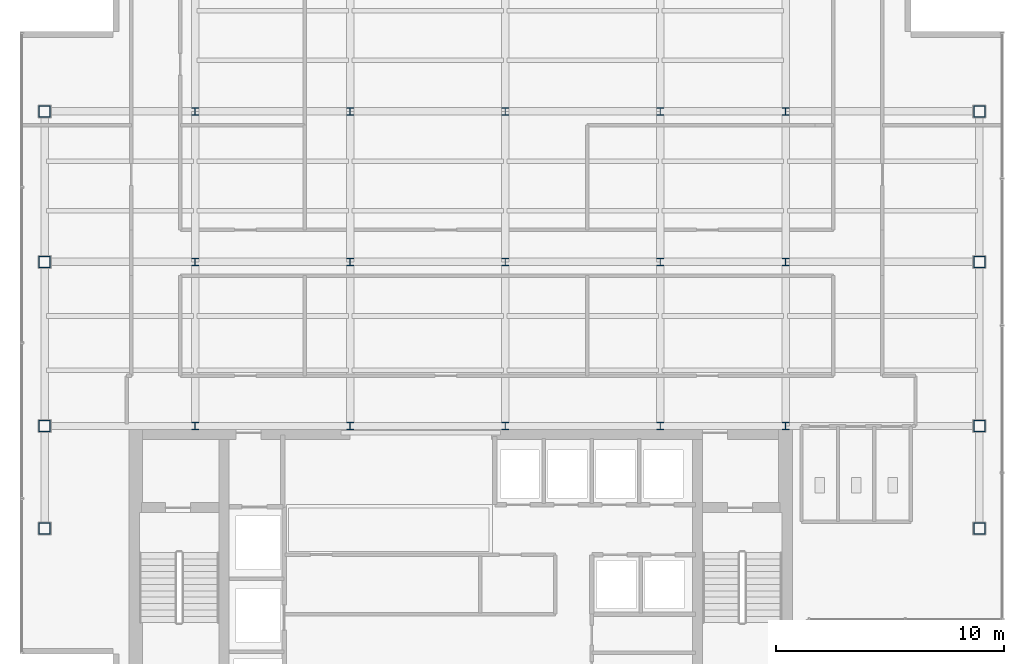
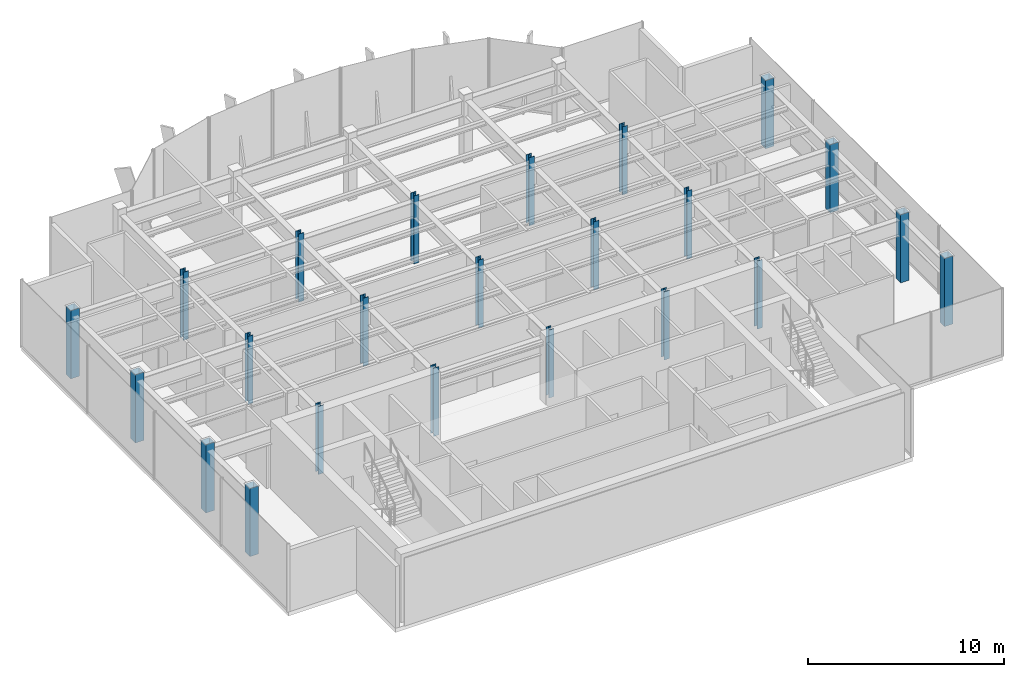
# One storey, part 1 of 24: 23 columns.
"""IFC4 building model written with IfcOpenShell, lengths in metres."""

from ifc_helpers import new_model, si_unit, derived_unit, direction, frame, origin, origin_2d, place, context, subcontext, project, spatial, hollow_rectangle, i_section, extrude, source, transform, mapped, material, material_profile, profile_set, type_object, element, save


model = new_model("IFC4")

# Units and contexts
model_context = context("Model", 3, precision=1e-05, world=origin(), true_north=direction((0.0, 1.0)))
body_context = subcontext(model_context, "Body", "Model", "MODEL_VIEW")
ifc_project = project(units=[si_unit("LENGTHUNIT", "METRE"), si_unit("AREAUNIT", "SQUARE_METRE"), si_unit("VOLUMEUNIT", "CUBIC_METRE"), si_unit("PLANEANGLEUNIT", "RADIAN"), si_unit("MASSUNIT", "GRAM", prefix="KILO"), derived_unit("THERMALTRANSMITTANCEUNIT", [(si_unit("POWERUNIT", "WATT"), 1), (si_unit("LENGTHUNIT", "METRE"), -2), (si_unit("THERMODYNAMICTEMPERATUREUNIT", "KELVIN"), -1)])], contexts=[model_context])

# Site, building, storey
site_placement = place(None, origin())
site = spatial("IfcSite", under=ifc_project, at=site_placement, CompositionType="ELEMENT")
building_placement = place(site_placement, origin())
building = spatial("IfcBuilding", under=site, at=building_placement, Name="Skarnbrae Concourse Arena and Tower", CompositionType="ELEMENT")
storey_placement = place(building_placement, frame((0.0, 0.0, 288.0)))
storey = spatial("IfcBuildingStorey", under=building, at=storey_placement, Name="L75", CompositionType="ELEMENT", Elevation=288.0)

# Columns
ifc_material = material(Name="Steel CSA G40.21 350W", Category="steel")
ifc_material_profile_1 = material_profile(ifc_material, hollow_rectangle(XDim=0.5, YDim=0.5, WallThickness=0.02197265625, at=origin_2d()), Name="HSS500X500X22.0")
ifc_profile_set_1 = profile_set([ifc_material_profile_1], Name="Steel CSA G40.21 350W")
column_type_1 = type_object("IfcColumnType", Name="COL-TUBE-HSS500", PredefinedType="COLUMN", material=ifc_profile_set_1)
shared_shape_1 = source(origin(), body_context, "Body", "SweptSolid", [
    extrude(hollow_rectangle(XDim=0.5, YDim=0.5, WallThickness=0.02197265625, at=origin_2d()), origin(), (0.0, 0.0, 1.0), 4.25),
])
for number, where, z_axis, x_axis, name in (
    (1, (1.0, 9.5, 0.0), (0.0, 0.0, 1.0), (1.0, 0.0, 0.0), "L75 Tower column PC_01_01"),
    (2, (1.0, 14.0, 0.0), (0.0, 0.0, 1.0), (1.0, 0.0, 0.0), "L75 Tower column PC_01_02"),
    (3, (1.0, 21.199951171875, 0.0), (0.0, 0.0, 1.0), (1.0, 0.0, 0.0), "L75 Tower column PC_01_03"),
    (4, (1.0, 27.800048828125, 0.0), (0.0, 0.0, 1.0), (1.0, 0.0, 0.0), "L75 Tower column PC_01_04"),
    (5, (42.0, 9.5, 0.0), (0.0, 0.0, 1.0), (1.0, 0.0, 0.0), "L75 Tower column PC_07_01"),
    (6, (42.0, 14.0, 0.0), (0.0, 0.0, 1.0), (1.0, 0.0, 0.0), "L75 Tower column PC_07_02"),
    (7, (42.0, 21.199951171875, 0.0), (0.0, 0.0, 1.0), (1.0, 0.0, 0.0), "L75 Tower column PC_07_03"),
    (8, (42.0, 27.800048828125, 0.0), (0.0, 0.0, 1.0), (1.0, 0.0, 0.0), "L75 Tower column PC_07_04"),
):
    element("IfcColumn", number, at=place(storey_placement, frame(where, z_axis=z_axis, x_axis=x_axis)), inside=storey, type_object=column_type_1, Name=name, PredefinedType="COLUMN", context=body_context, shape_type="MappedRepresentation", body=[
        mapped(shared_shape_1, transform((0.0, 0.0, 0.0))),
    ])
ifc_material_profile_2 = material_profile(ifc_material, i_section(OverallWidth=0.30908203125, OverallDepth=0.322998046875, WebThickness=0.013916015625, FlangeThickness=0.02294921875, at=origin_2d()), Name="W310X143")
ifc_profile_set_2 = profile_set([ifc_material_profile_2], Name="Steel CSA G40.21 350W")
column_type_2 = type_object("IfcColumnType", Name="COL-INT-W310X143", PredefinedType="COLUMN", material=ifc_profile_set_2)
shared_shape_2 = source(origin(), body_context, "Body", "SweptSolid", [
    extrude(i_section(OverallWidth=0.30908203125, OverallDepth=0.322998046875, WebThickness=0.013916015625, FlangeThickness=0.02294921875, at=origin_2d()), origin(), (0.0, 0.0, 1.0), 4.25),
])
for number, where, z_axis, x_axis, name in (
    (9, (7.60009765625, 14.0, 0.0), (0.0, 0.0, 1.0), (1.0, 0.0, 0.0), "L75 Tower column IC_02_02"),
    (10, (7.60009765625, 21.199951171875, 0.0), (0.0, 0.0, 1.0), (1.0, 0.0, 0.0), "L75 Tower column IC_02_03"),
    (11, (7.60009765625, 27.800048828125, 0.0), (0.0, 0.0, 1.0), (1.0, 0.0, 0.0), "L75 Tower column IC_02_04"),
    (12, (14.39990234375, 14.0, 0.0), (0.0, 0.0, 1.0), (1.0, 0.0, 0.0), "L75 Tower column IC_03_02"),
    (13, (14.39990234375, 21.199951171875, 0.0), (0.0, 0.0, 1.0), (1.0, 0.0, 0.0), "L75 Tower column IC_03_03"),
    (14, (14.39990234375, 27.800048828125, 0.0), (0.0, 0.0, 1.0), (1.0, 0.0, 0.0), "L75 Tower column IC_03_04"),
    (15, (21.199951171875, 14.0, 0.0), (0.0, 0.0, 1.0), (1.0, 0.0, 0.0), "L75 Tower column IC_04_02"),
    (16, (21.199951171875, 21.199951171875, 0.0), (0.0, 0.0, 1.0), (1.0, 0.0, 0.0), "L75 Tower column IC_04_03"),
    (17, (21.199951171875, 27.800048828125, 0.0), (0.0, 0.0, 1.0), (1.0, 0.0, 0.0), "L75 Tower column IC_04_04"),
    (18, (28.0, 14.0, 0.0), (0.0, 0.0, 1.0), (1.0, 0.0, 0.0), "L75 Tower column IC_05_02"),
    (19, (28.0, 21.199951171875, 0.0), (0.0, 0.0, 1.0), (1.0, 0.0, 0.0), "L75 Tower column IC_05_03"),
    (20, (28.0, 27.800048828125, 0.0), (0.0, 0.0, 1.0), (1.0, 0.0, 0.0), "L75 Tower column IC_05_04"),
    (21, (33.5, 14.0, 0.0), (0.0, 0.0, 1.0), (1.0, 0.0, 0.0), "L75 Tower column IC_06_02"),
    (22, (33.5, 21.199951171875, 0.0), (0.0, 0.0, 1.0), (1.0, 0.0, 0.0), "L75 Tower column IC_06_03"),
    (23, (33.5, 27.800048828125, 0.0), (0.0, 0.0, 1.0), (1.0, 0.0, 0.0), "L75 Tower column IC_06_04"),
):
    element("IfcColumn", number, at=place(storey_placement, frame(where, z_axis=z_axis, x_axis=x_axis)), inside=storey, type_object=column_type_2, Name=name, PredefinedType="COLUMN", context=body_context, shape_type="MappedRepresentation", body=[
        mapped(shared_shape_2, transform((0.0, 0.0, 0.0))),
    ])

save(model, "model.ifc")
